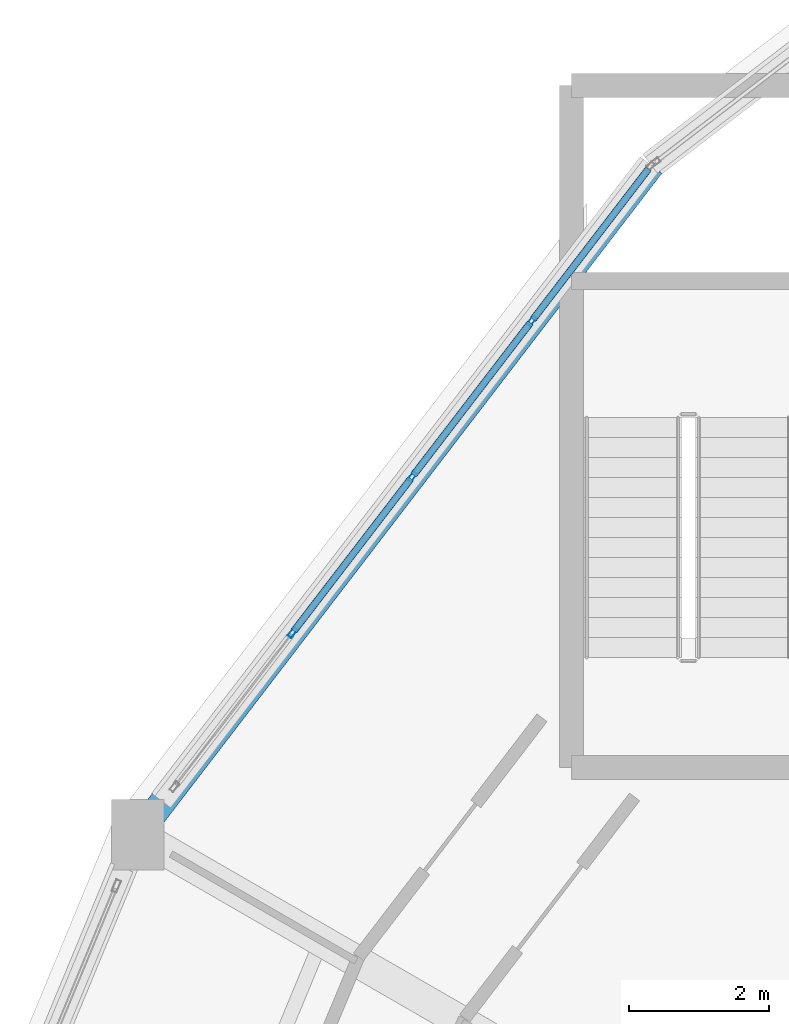
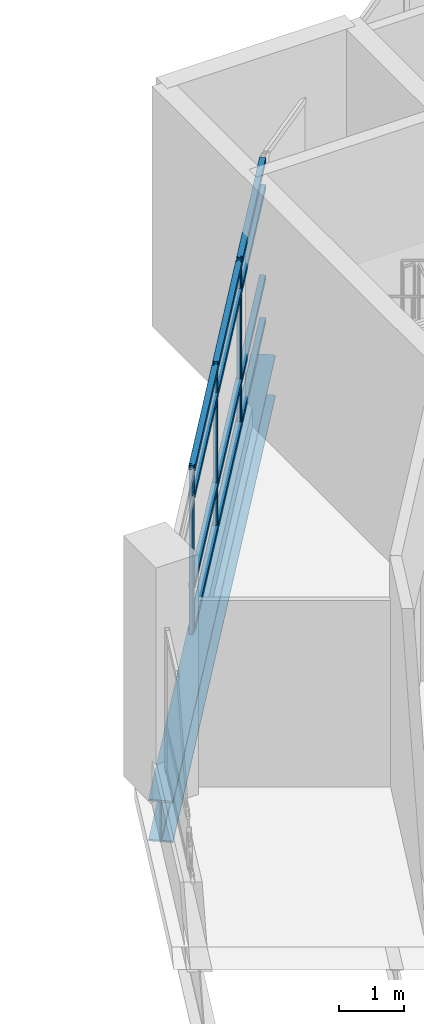
# One storey, part 50 of 129: 15 members, 1 beam, 1 element without a shape of its own.
"""IFC4 building model written with IfcOpenShell, lengths in metres."""

from ifc_helpers import new_model, si_unit, direction, frame, origin, origin_2d, place, context, subcontext, project, spatial, hollow_rectangle, i_section, extrude, material, layer, layer_set, material_profile, profile_set, type_object, element, aggregate, save


model = new_model("IFC4")

# Units and contexts
model_context = context("Model", 3, precision=1e-05, world=origin(), true_north=direction((0.0, 1.0)))
body_context = subcontext(model_context, "Body", "Model", "MODEL_VIEW")
ifc_project = project(units=[si_unit("LENGTHUNIT", "METRE"), si_unit("AREAUNIT", "SQUARE_METRE"), si_unit("VOLUMEUNIT", "CUBIC_METRE"), si_unit("PLANEANGLEUNIT", "RADIAN"), si_unit("MASSUNIT", "GRAM", prefix="KILO")], contexts=[model_context])

# Site, building, storey
site_placement = place(None, origin())
site = spatial("IfcSite", under=ifc_project, at=site_placement, CompositionType="ELEMENT")
building_placement = place(site_placement, origin())
building = spatial("IfcBuilding", under=site, at=building_placement, Name="Vespera Passage Community Centre", CompositionType="ELEMENT")
storey_placement = place(building_placement, origin())
storey = spatial("IfcBuildingStorey", under=building, at=storey_placement, Name="L00", CompositionType="ELEMENT", Elevation=0.0)

# Beam
ifc_material_1 = material(Name="Steel ASTM A992 Grade 50", Category="steel")
ifc_material_profile_1 = material_profile(ifc_material_1, i_section(OverallWidth=0.382080078125, OverallDepth=0.779296875, WebThickness=0.01806640625, FlangeThickness=0.030029296875, FilletRadius=0.0166015625, at=origin_2d()), Name="W30X191")
ifc_profile_set_1 = profile_set([ifc_material_profile_1], Name="Steel ASTM A992 Grade 50")
beam_type = type_object("IfcBeamType", Name="BM-SP-W30X191E", PredefinedType="SPANDREL", material=ifc_profile_set_1)
beam_placement = place(storey_placement, frame((45.40234375, 98.09765625, -0.669677734375), z_axis=(-0.608763261066, -0.793351934501, 0.0), x_axis=(0.793351934501, -0.608763261066, 0.0)))
element("IfcBeam", 1, at=beam_placement, inside=storey, type_object=beam_type, Name="V4 L00 Outer Spandrel 9", PredefinedType="SPANDREL", context=body_context, shape_type="SweptSolid", body=[
    extrude(i_section(OverallWidth=0.382080078125, OverallDepth=0.779296875, WebThickness=0.01806640625, FlangeThickness=0.030029296875, FilletRadius=0.0166015625, at=origin_2d()), origin(), (0.0, 0.0, 1.0), 12.034423828125),
])

# Curtain wall, members
ifc_material_2 = material(Name="Anodized aluminium 6063-T6", Category="aluminium")
ifc_layer = layer(ifc_material_2, 0.159912109375)
ifc_layer_set = layer_set([ifc_layer], Name="Anodized aluminium 6063-T6")
curtain_wall_type = type_object("IfcCurtainWallType", Name="CW-06E", PredefinedType="NOTDEFINED", material=ifc_layer_set)
curtain_wall_placement = place(storey_placement, origin())
curtain_wall = element("IfcCurtainWall", 2, at=curtain_wall_placement, inside=storey, type_object=curtain_wall_type, Name="V4 L00 Outer Ribbon Curtain Wall 9", PredefinedType="NOTDEFINED")
ifc_material_3 = material(Name="Anodized aluminium 6063-T6", Category="aluminium")
ifc_material_profile_2 = material_profile(ifc_material_3, hollow_rectangle(XDim=0.06494140625, YDim=0.14990234375, WallThickness=0.00390625, InnerFilletRadius=0.001953125, OuterFilletRadius=0.00390625, at=origin_2d()), Name="ALU150X65X4")
ifc_profile_set_2 = profile_set([ifc_material_profile_2], Name="Anodized aluminium 6063-T6")
member_type_1 = type_object("IfcMemberType", Name="MB-CWM-150E", PredefinedType="MULLION", material=ifc_profile_set_2)
member_1_placement = place(storey_placement, frame((40.287109375, 91.431396484375, 0.35009765625), z_axis=(0.0, 0.0, 1.0), x_axis=(-0.793350429062, 0.608765222978, 0.0)))
member_1 = element("IfcMember", 3, at=member_1_placement, type_object=member_type_1, Name="CW-06E mullion 2", PredefinedType="MULLION", context=body_context, shape_type="SweptSolid", body=[
    extrude(hollow_rectangle(XDim=0.06494140625, YDim=0.14990234375, WallThickness=0.00390625, InnerFilletRadius=0.001953125, OuterFilletRadius=0.00390625, at=origin_2d()), origin(), (0.0, 0.0, 1.0), 3.095458984375),
])
member_2_placement = place(storey_placement, frame((41.9921875, 93.653564453125, 0.35009765625), z_axis=(0.0, 0.0, 1.0), x_axis=(-0.793350429062, 0.608765222978, 0.0)))
member_2 = element("IfcMember", 4, at=member_2_placement, type_object=member_type_1, Name="CW-06E mullion 3", PredefinedType="MULLION", context=body_context, shape_type="SweptSolid", body=[
    extrude(hollow_rectangle(XDim=0.06494140625, YDim=0.14990234375, WallThickness=0.00390625, InnerFilletRadius=0.001953125, OuterFilletRadius=0.00390625, at=origin_2d()), origin(), (0.0, 0.0, 1.0), 3.095458984375),
])
member_3_placement = place(storey_placement, frame((43.697265625, 95.87548828125, 0.35009765625), z_axis=(0.0, 0.0, 1.0), x_axis=(-0.793350429062, 0.608765222978, 0.0)))
member_3 = element("IfcMember", 5, at=member_3_placement, type_object=member_type_1, Name="CW-06E mullion 4", PredefinedType="MULLION", context=body_context, shape_type="SweptSolid", body=[
    extrude(hollow_rectangle(XDim=0.06494140625, YDim=0.14990234375, WallThickness=0.00390625, InnerFilletRadius=0.001953125, OuterFilletRadius=0.00390625, at=origin_2d()), origin(), (0.0, 0.0, 1.0), 3.095458984375),
])
ifc_material_4 = material(Name="Anodized aluminium 6063-T6", Category="aluminium")
ifc_material_profile_3 = material_profile(ifc_material_4, hollow_rectangle(XDim=0.10009765625, YDim=0.10009765625, WallThickness=0.00390625, InnerFilletRadius=0.001953125, OuterFilletRadius=0.00390625, at=origin_2d()), Name="ALU100X100X4")
ifc_profile_set_3 = profile_set([ifc_material_profile_3], Name="Anodized aluminium 6063-T6")
member_type_2 = type_object("IfcMemberType", Name="MB-CWT-100E", PredefinedType="USERDEFINED", material=ifc_profile_set_3)
member_4_placement = place(storey_placement, frame((40.306884765625, 91.457275390625, 0.39990234375), z_axis=(0.608787438682, 0.793333381689, 0.0), x_axis=(-0.793333381689, 0.608787438682, 0.0)))
member_4 = element("IfcMember", 6, at=member_4_placement, type_object=member_type_2, Name="CW-06E transom 2.1", ObjectType="TRANSOM", PredefinedType="USERDEFINED", context=body_context, shape_type="SweptSolid", body=[
    extrude(hollow_rectangle(XDim=0.10009765625, YDim=0.10009765625, WallThickness=0.00390625, InnerFilletRadius=0.001953125, OuterFilletRadius=0.00390625, at=origin_2d()), origin(), (0.0, 0.0, 1.0), 2.73583984375),
])
member_5_placement = place(storey_placement, frame((40.306884765625, 91.457275390625, 1.199951171875), z_axis=(0.608787438682, 0.793333381689, 0.0), x_axis=(-0.793333381689, 0.608787438682, 0.0)))
member_5 = element("IfcMember", 7, at=member_5_placement, type_object=member_type_2, Name="CW-06E transom 2.2", ObjectType="TRANSOM", PredefinedType="USERDEFINED", context=body_context, shape_type="SweptSolid", body=[
    extrude(hollow_rectangle(XDim=0.10009765625, YDim=0.10009765625, WallThickness=0.00390625, InnerFilletRadius=0.001953125, OuterFilletRadius=0.00390625, at=origin_2d()), origin(), (0.0, 0.0, 1.0), 2.73583984375),
])
member_6_placement = place(storey_placement, frame((40.306884765625, 91.457275390625, 2.8955078125), z_axis=(0.608787438682, 0.793333381689, 0.0), x_axis=(-0.793333381689, 0.608787438682, 0.0)))
member_6 = element("IfcMember", 8, at=member_6_placement, type_object=member_type_2, Name="CW-06E transom 2.3", ObjectType="TRANSOM", PredefinedType="USERDEFINED", context=body_context, shape_type="SweptSolid", body=[
    extrude(hollow_rectangle(XDim=0.10009765625, YDim=0.10009765625, WallThickness=0.00390625, InnerFilletRadius=0.001953125, OuterFilletRadius=0.00390625, at=origin_2d()), origin(), (0.0, 0.0, 1.0), 2.73583984375),
])
member_7_placement = place(storey_placement, frame((40.306884765625, 91.457275390625, 3.3955078125), z_axis=(0.608787438682, 0.793333381689, 0.0), x_axis=(-0.793333381689, 0.608787438682, 0.0)))
member_7 = element("IfcMember", 9, at=member_7_placement, type_object=member_type_2, Name="CW-06E transom 2.4", ObjectType="TRANSOM", PredefinedType="USERDEFINED", context=body_context, shape_type="SweptSolid", body=[
    extrude(hollow_rectangle(XDim=0.10009765625, YDim=0.10009765625, WallThickness=0.00390625, InnerFilletRadius=0.001953125, OuterFilletRadius=0.00390625, at=origin_2d()), origin(), (0.0, 0.0, 1.0), 2.73583984375),
])
member_8_placement = place(storey_placement, frame((42.011962890625, 93.67919921875, 0.39990234375), z_axis=(0.608744341023, 0.793366452072, 0.0), x_axis=(-0.793366452072, 0.608744341023, 0.0)))
member_8 = element("IfcMember", 10, at=member_8_placement, type_object=member_type_2, Name="CW-06E transom 3.1", ObjectType="TRANSOM", PredefinedType="USERDEFINED", context=body_context, shape_type="SweptSolid", body=[
    extrude(hollow_rectangle(XDim=0.10009765625, YDim=0.10009765625, WallThickness=0.00390625, InnerFilletRadius=0.001953125, OuterFilletRadius=0.00390625, at=origin_2d()), origin(), (0.0, 0.0, 1.0), 2.736083984375),
])
member_9_placement = place(storey_placement, frame((42.011962890625, 93.67919921875, 1.199951171875), z_axis=(0.608744341023, 0.793366452072, 0.0), x_axis=(-0.793366452072, 0.608744341023, 0.0)))
member_9 = element("IfcMember", 11, at=member_9_placement, type_object=member_type_2, Name="CW-06E transom 3.2", ObjectType="TRANSOM", PredefinedType="USERDEFINED", context=body_context, shape_type="SweptSolid", body=[
    extrude(hollow_rectangle(XDim=0.10009765625, YDim=0.10009765625, WallThickness=0.00390625, InnerFilletRadius=0.001953125, OuterFilletRadius=0.00390625, at=origin_2d()), origin(), (0.0, 0.0, 1.0), 2.736083984375),
])
member_10_placement = place(storey_placement, frame((42.011962890625, 93.67919921875, 2.8955078125), z_axis=(0.608744341023, 0.793366452072, 0.0), x_axis=(-0.793366452072, 0.608744341023, 0.0)))
member_10 = element("IfcMember", 12, at=member_10_placement, type_object=member_type_2, Name="CW-06E transom 3.3", ObjectType="TRANSOM", PredefinedType="USERDEFINED", context=body_context, shape_type="SweptSolid", body=[
    extrude(hollow_rectangle(XDim=0.10009765625, YDim=0.10009765625, WallThickness=0.00390625, InnerFilletRadius=0.001953125, OuterFilletRadius=0.00390625, at=origin_2d()), origin(), (0.0, 0.0, 1.0), 2.736083984375),
])
member_11_placement = place(storey_placement, frame((42.011962890625, 93.67919921875, 3.3955078125), z_axis=(0.608744341023, 0.793366452072, 0.0), x_axis=(-0.793366452072, 0.608744341023, 0.0)))
member_11 = element("IfcMember", 13, at=member_11_placement, type_object=member_type_2, Name="CW-06E transom 3.4", ObjectType="TRANSOM", PredefinedType="USERDEFINED", context=body_context, shape_type="SweptSolid", body=[
    extrude(hollow_rectangle(XDim=0.10009765625, YDim=0.10009765625, WallThickness=0.00390625, InnerFilletRadius=0.001953125, OuterFilletRadius=0.00390625, at=origin_2d()), origin(), (0.0, 0.0, 1.0), 2.736083984375),
])
member_12_placement = place(storey_placement, frame((43.717041015625, 95.9013671875, 0.39990234375), z_axis=(0.60876327124, 0.793351926694, 0.0), x_axis=(-0.793351926694, 0.60876327124, 0.0)))
member_12 = element("IfcMember", 14, at=member_12_placement, type_object=member_type_2, Name="CW-06E transom 4.1", ObjectType="TRANSOM", PredefinedType="USERDEFINED", context=body_context, shape_type="SweptSolid", body=[
    extrude(hollow_rectangle(XDim=0.10009765625, YDim=0.10009765625, WallThickness=0.00390625, InnerFilletRadius=0.001953125, OuterFilletRadius=0.00390625, at=origin_2d()), origin(), (0.0, 0.0, 1.0), 2.703369140625),
])
member_13_placement = place(storey_placement, frame((43.717041015625, 95.9013671875, 1.199951171875), z_axis=(0.60876327124, 0.793351926694, 0.0), x_axis=(-0.793351926694, 0.60876327124, 0.0)))
member_13 = element("IfcMember", 15, at=member_13_placement, type_object=member_type_2, Name="CW-06E transom 4.2", ObjectType="TRANSOM", PredefinedType="USERDEFINED", context=body_context, shape_type="SweptSolid", body=[
    extrude(hollow_rectangle(XDim=0.10009765625, YDim=0.10009765625, WallThickness=0.00390625, InnerFilletRadius=0.001953125, OuterFilletRadius=0.00390625, at=origin_2d()), origin(), (0.0, 0.0, 1.0), 2.703369140625),
])
member_14_placement = place(storey_placement, frame((43.717041015625, 95.9013671875, 2.8955078125), z_axis=(0.60876327124, 0.793351926694, 0.0), x_axis=(-0.793351926694, 0.60876327124, 0.0)))
member_14 = element("IfcMember", 16, at=member_14_placement, type_object=member_type_2, Name="CW-06E transom 4.3", ObjectType="TRANSOM", PredefinedType="USERDEFINED", context=body_context, shape_type="SweptSolid", body=[
    extrude(hollow_rectangle(XDim=0.10009765625, YDim=0.10009765625, WallThickness=0.00390625, InnerFilletRadius=0.001953125, OuterFilletRadius=0.00390625, at=origin_2d()), origin(), (0.0, 0.0, 1.0), 2.703369140625),
])
member_15_placement = place(storey_placement, frame((43.717041015625, 95.9013671875, 3.3955078125), z_axis=(0.60876327124, 0.793351926694, 0.0), x_axis=(-0.793351926694, 0.60876327124, 0.0)))
member_15 = element("IfcMember", 17, at=member_15_placement, type_object=member_type_2, Name="CW-06E transom 4.4", ObjectType="TRANSOM", PredefinedType="USERDEFINED", context=body_context, shape_type="SweptSolid", body=[
    extrude(hollow_rectangle(XDim=0.10009765625, YDim=0.10009765625, WallThickness=0.00390625, InnerFilletRadius=0.001953125, OuterFilletRadius=0.00390625, at=origin_2d()), origin(), (0.0, 0.0, 1.0), 2.703369140625),
])
aggregate(curtain_wall, [member_1, member_2, member_3, member_4, member_5, member_6, member_7, member_8, member_9, member_10, member_11, member_12, member_13, member_14, member_15])

save(model, "model.ifc")
